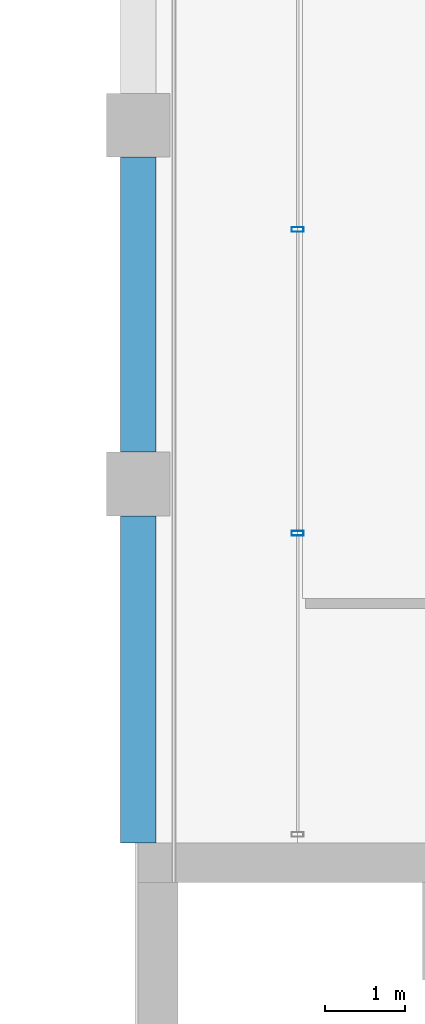
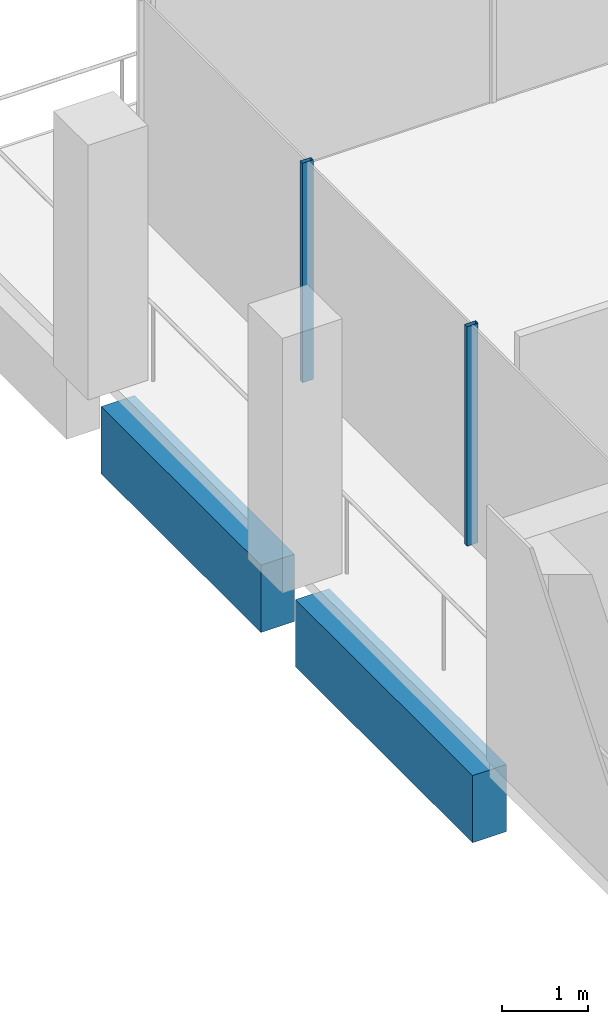
# One storey, part 22 of 62: 2 beams, 2 members, 1 element without a shape of its own.
"""IFC4 building model written with IfcOpenShell, lengths in metres."""

from ifc_helpers import new_model, si_unit, direction, frame, origin, origin_2d, place, context, subcontext, project, spatial, rectangle, hollow_rectangle, extrude, material, material_profile, profile_set, type_object, element, aggregate, save


model = new_model("IFC4")

# Units and contexts
model_context = context("Model", 3, precision=1e-05, world=origin(), true_north=direction((0.0, 1.0)))
body_context = subcontext(model_context, "Body", "Model", "MODEL_VIEW")
ifc_project = project(units=[si_unit("LENGTHUNIT", "METRE"), si_unit("AREAUNIT", "SQUARE_METRE"), si_unit("VOLUMEUNIT", "CUBIC_METRE"), si_unit("PLANEANGLEUNIT", "RADIAN"), si_unit("MASSUNIT", "GRAM", prefix="KILO")], contexts=[model_context])

# Site, building, storey
site_placement = place(None, origin())
site = spatial("IfcSite", under=ifc_project, at=site_placement, CompositionType="ELEMENT")
building_placement = place(site_placement, origin())
building = spatial("IfcBuilding", under=site, at=building_placement, Name="Altepetl Exchange Towers", CompositionType="ELEMENT")
storey_placement = place(building_placement, frame((0.0, 0.0, 210.0)))
storey = spatial("IfcBuildingStorey", under=building, at=storey_placement, Name="L53", CompositionType="ELEMENT", Elevation=210.0)

# Curtain wall, members
ifc_material_1 = material(Name="Aluminium 6063-T6 glazing", Category="aluminium")
curtain_wall_type = type_object("IfcCurtainWallType", Name="Loggia glazing system", PredefinedType="NOTDEFINED", material=ifc_material_1)
curtain_wall_placement = place(storey_placement, origin())
curtain_wall = element("IfcCurtainWall", 1, at=curtain_wall_placement, inside=storey, type_object=curtain_wall_type, Name="CW1 run", PredefinedType="NOTDEFINED")
ifc_material_2 = material(Name="Aluminium 6063-T6", Category="aluminium")
ifc_material_profile_1 = material_profile(ifc_material_2, hollow_rectangle(XDim=0.06005859375, YDim=0.14990234375, WallThickness=0.0029296875, at=origin_2d()), Name="Mullion 60x150 aluminium")
ifc_profile_set_1 = profile_set([ifc_material_profile_1], Name="Aluminium 6063-T6")
member_type = type_object("IfcMemberType", Name="Mullion 60x150 aluminium", PredefinedType="MULLION", material=ifc_profile_set_1)
member_1_placement = place(storey_placement, frame((42.5, 66.191650390625, 0.0), z_axis=(0.0, 0.0, 1.0), x_axis=(0.0, -1.0, 0.0)))
member_1 = element("IfcMember", 2, at=member_1_placement, type_object=member_type, Name="MU1 mullion", PredefinedType="MULLION", context=body_context, shape_type="SweptSolid", body=[
    extrude(hollow_rectangle(XDim=0.06005859375, YDim=0.14990234375, WallThickness=0.0029296875, at=origin_2d()), origin(), (0.0, 0.0, 1.0), 3.10009765625),
])
member_2_placement = place(storey_placement, frame((42.5, 62.38330078125, 0.0), z_axis=(0.0, 0.0, 1.0), x_axis=(0.0, -1.0, 0.0)))
member_2 = element("IfcMember", 3, at=member_2_placement, type_object=member_type, Name="MU1 mullion", PredefinedType="MULLION", context=body_context, shape_type="SweptSolid", body=[
    extrude(hollow_rectangle(XDim=0.06005859375, YDim=0.14990234375, WallThickness=0.0029296875, at=origin_2d()), origin(), (0.0, 0.0, 1.0), 3.10009765625),
])
aggregate(curtain_wall, [member_1, member_2])

# Beams
ifc_material_3 = material(Name="Concrete C50/60 precast with tezontle facing", Category="concrete")
ifc_material_profile_2 = material_profile(ifc_material_3, rectangle(XDim=0.449951171875, YDim=0.949951171875, at=origin_2d()), Name="450 x 950")
ifc_profile_set_2 = profile_set([ifc_material_profile_2], Name="Concrete C50/60 precast with tezontle facing")
beam_type = type_object("IfcBeamType", Name="Spandrel beam 450x950 tezontle", PredefinedType="SPANDREL", material=ifc_profile_set_2)
beam_1_placement = place(storey_placement, frame((40.5, 67.10009765625, -0.625), z_axis=(0.0, -1.0, 0.0), x_axis=(1.0, 0.0, 0.0)))
element("IfcBeam", 4, at=beam_1_placement, inside=storey, type_object=beam_type, Name="sp:A:L53:031", PredefinedType="SPANDREL", context=body_context, shape_type="SweptSolid", body=[
    extrude(rectangle(XDim=0.449951171875, YDim=0.949951171875, at=origin_2d()), origin(), (0.0, 0.0, 1.0), 3.7001953125),
])
beam_2_placement = place(storey_placement, frame((40.5, 62.60009765625, -0.625), z_axis=(0.0, -1.0, 0.0), x_axis=(1.0, 0.0, 0.0)))
element("IfcBeam", 5, at=beam_2_placement, inside=storey, type_object=beam_type, Name="sp:A:L53:032", PredefinedType="SPANDREL", context=body_context, shape_type="SweptSolid", body=[
    extrude(rectangle(XDim=0.449951171875, YDim=0.949951171875, at=origin_2d()), origin(), (0.0, 0.0, 1.0), 4.10009765625),
])

save(model, "model.ifc")
